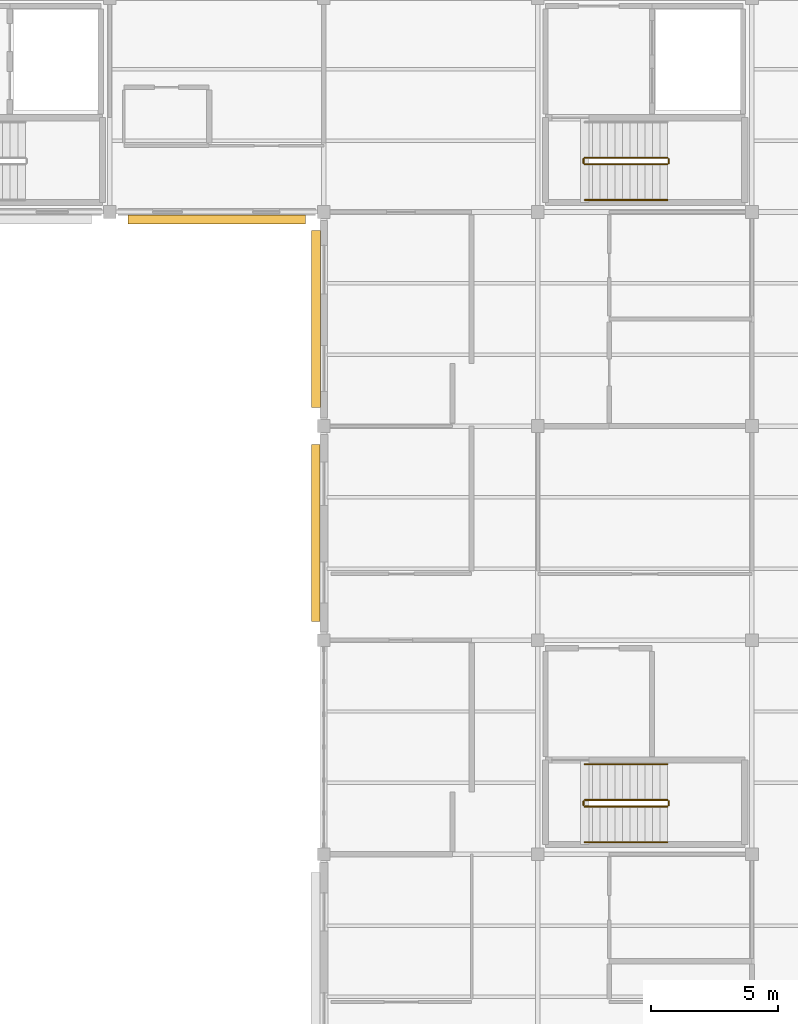
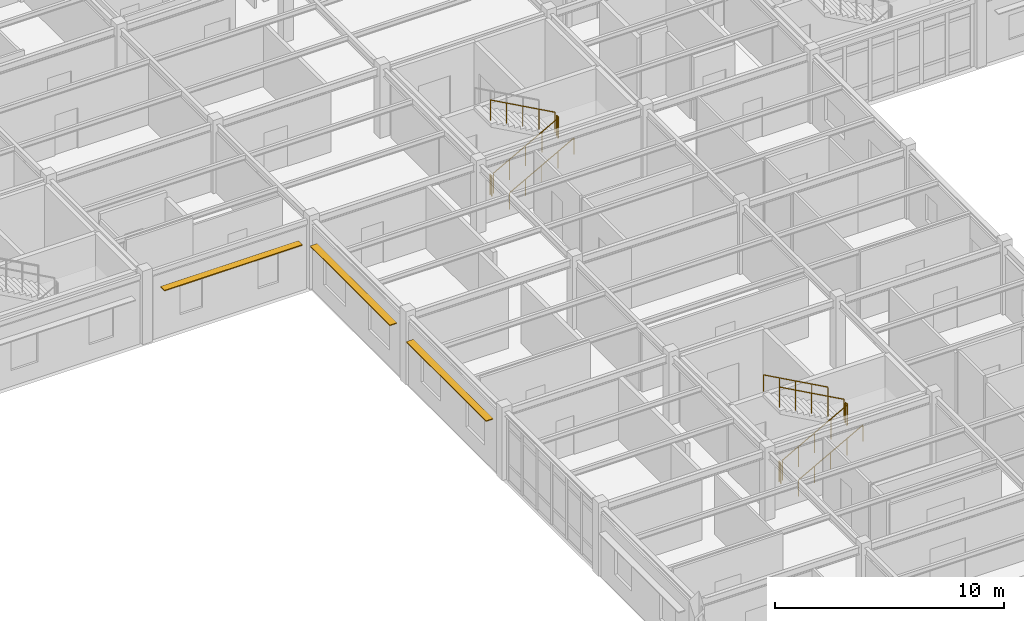
# One storey, part 50 of 53: 11 railings, 3 shading devices.
"""IFC4 building model written with IfcOpenShell, lengths in metres."""

from ifc_helpers import new_model, si_unit, direction, frame, origin, origin_2d, place, context, subcontext, project, spatial, rectangle, circle, extrude, material, material_profile, profile_set, type_object, element, save


model = new_model("IFC4")

# Units and contexts
model_context = context("Model", 3, precision=1e-05, world=origin(), true_north=direction((0.0, 1.0)))
body_context = subcontext(model_context, "Body", "Model", "MODEL_VIEW")
ifc_project = project(units=[si_unit("LENGTHUNIT", "METRE"), si_unit("AREAUNIT", "SQUARE_METRE"), si_unit("VOLUMEUNIT", "CUBIC_METRE"), si_unit("PLANEANGLEUNIT", "RADIAN"), si_unit("MASSUNIT", "GRAM", prefix="KILO")], contexts=[model_context])

# Site, building, storey
site_placement = place(None, origin())
site = spatial("IfcSite", under=ifc_project, at=site_placement, CompositionType="ELEMENT")
building_placement = place(site_placement, origin())
building = spatial("IfcBuilding", under=site, at=building_placement, Name="Bramfleet General Hospital", CompositionType="ELEMENT")
storey_placement = place(building_placement, frame((0.0, 0.0, 26.39990234375)))
storey = spatial("IfcBuildingStorey", under=building, at=storey_placement, Name="L06", CompositionType="ELEMENT", Elevation=26.39990234375)

# Railings
ifc_material_1 = material(Name="Powder-coated steel stair balustrade", Category="steel")
railing_type_1 = type_object("IfcRailingType", Name="RAIL-ST-GUARD", PredefinedType="GUARDRAIL", material=ifc_material_1)
railing_1_placement = place(storey_placement, frame((102.639892578125, 94.27001953125, 0.16259765625)))
element("IfcRailing", 1, at=railing_1_placement, inside=storey, type_object=railing_type_1, Name="L06 ST-C4 stair guard 1", PredefinedType="GUARDRAIL", context=body_context, shape_type="SweptSolid", body=[
    extrude(circle(Radius=0.02392578125, at=origin_2d()), frame((0.0, 0.0, 1.076171875), z_axis=(0.875898504189, 0.0, 0.482495399314), x_axis=(0.0, 1.0, 0.0)), (0.0, 0.0, 1.0), 3.704833984375),
    extrude(circle(Radius=0.02099609375, at=origin_2d()), origin(), (0.0, 0.0, 1.0), 1.052001953125),
    extrude(circle(Radius=0.02099609375, at=origin_2d()), frame((0.811279296875, 0.0, 0.44677734375)), (0.0, 0.0, 1.0), 1.052001953125),
    extrude(circle(Radius=0.02099609375, at=origin_2d()), frame((1.62255859375, 0.0, 0.893798828125)), (0.0, 0.0, 1.0), 1.052001953125),
    extrude(circle(Radius=0.02099609375, at=origin_2d()), frame((2.433837890625, 0.0, 1.3408203125)), (0.0, 0.0, 1.0), 1.052001953125),
    extrude(circle(Radius=0.02099609375, at=origin_2d()), frame((3.2451171875, 0.0, 1.78759765625)), (0.0, 0.0, 1.0), 1.052001953125),
])
railing_2_placement = place(storey_placement, frame((105.93505859375, 94.320068359375, 1.9501953125)))
element("IfcRailing", 2, at=railing_2_placement, inside=storey, type_object=railing_type_1, Name="L06 ST-C4 stair guard 2", PredefinedType="GUARDRAIL", context=body_context, shape_type="SweptSolid", body=[
    extrude(circle(Radius=0.02392578125, at=origin_2d()), frame((0.0, 0.0, 1.076171875), z_axis=(0.0, 1.0, 0.0), x_axis=(-1.0, 0.0, 0.0)), (0.0, 0.0, 1.0), 0.159912109375),
    extrude(circle(Radius=0.02099609375, at=origin_2d()), origin(), (0.0, 0.0, 1.0), 1.052001953125),
    extrude(circle(Radius=0.02099609375, at=origin_2d()), frame((0.0, 0.159912109375, 0.0)), (0.0, 0.0, 1.0), 1.052001953125),
])
railing_3_placement = place(storey_placement, frame((105.885009765625, 94.530029296875, 2.112548828125)))
element("IfcRailing", 3, at=railing_3_placement, inside=storey, type_object=railing_type_1, Name="L06 ST-C4 stair guard 3", PredefinedType="GUARDRAIL", context=body_context, shape_type="SweptSolid", body=[
    extrude(circle(Radius=0.02392578125, at=origin_2d()), frame((0.0, 0.0, 1.076171875), z_axis=(-0.875898504189, 0.0, 0.482495399314), x_axis=(0.0, -1.0, 0.0)), (0.0, 0.0, 1.0), 3.704833984375),
    extrude(circle(Radius=0.02099609375, at=origin_2d()), origin(), (0.0, 0.0, 1.0), 1.052001953125),
    extrude(circle(Radius=0.02099609375, at=origin_2d()), frame((-0.811279296875, 0.0, 0.44677734375)), (0.0, 0.0, 1.0), 1.052001953125),
    extrude(circle(Radius=0.02099609375, at=origin_2d()), frame((-1.62255859375, 0.0, 0.893798828125)), (0.0, 0.0, 1.0), 1.052001953125),
    extrude(circle(Radius=0.02099609375, at=origin_2d()), frame((-2.433837890625, 0.0, 1.3408203125)), (0.0, 0.0, 1.0), 1.052001953125),
    extrude(circle(Radius=0.02099609375, at=origin_2d()), frame((-3.2451171875, 0.0, 1.78759765625)), (0.0, 0.0, 1.0), 1.052001953125),
])
railing_4_placement = place(storey_placement, frame((102.590087890625, 94.320068359375, 0.0)))
element("IfcRailing", 4, at=railing_4_placement, inside=storey, type_object=railing_type_1, Name="L06 ST-C4 stair guard 4", PredefinedType="GUARDRAIL", context=body_context, shape_type="SweptSolid", body=[
    extrude(circle(Radius=0.02392578125, at=origin_2d()), frame((0.0, 0.0, 1.076171875), z_axis=(0.0, 1.0, 0.0), x_axis=(-1.0, 0.0, 0.0)), (0.0, 0.0, 1.0), 0.159912109375),
    extrude(circle(Radius=0.02099609375, at=origin_2d()), origin(), (0.0, 0.0, 1.0), 1.052001953125),
    extrude(circle(Radius=0.02099609375, at=origin_2d()), frame((0.0, 0.159912109375, 0.0)), (0.0, 0.0, 1.0), 1.052001953125),
])
railing_5_placement = place(storey_placement, frame((102.639892578125, 69.070068359375, 0.16259765625)))
element("IfcRailing", 5, at=railing_5_placement, inside=storey, type_object=railing_type_1, Name="L06 ST-C11 stair guard 1", PredefinedType="GUARDRAIL", context=body_context, shape_type="SweptSolid", body=[
    extrude(circle(Radius=0.02392578125, at=origin_2d()), frame((0.0, 0.0, 1.076171875), z_axis=(0.875898504189, 0.0, 0.482495399314), x_axis=(0.0, 1.0, 0.0)), (0.0, 0.0, 1.0), 3.704833984375),
    extrude(circle(Radius=0.02099609375, at=origin_2d()), origin(), (0.0, 0.0, 1.0), 1.052001953125),
    extrude(circle(Radius=0.02099609375, at=origin_2d()), frame((0.811279296875, 0.0, 0.44677734375)), (0.0, 0.0, 1.0), 1.052001953125),
    extrude(circle(Radius=0.02099609375, at=origin_2d()), frame((1.62255859375, 0.0, 0.893798828125)), (0.0, 0.0, 1.0), 1.052001953125),
    extrude(circle(Radius=0.02099609375, at=origin_2d()), frame((2.433837890625, 0.0, 1.3408203125)), (0.0, 0.0, 1.0), 1.052001953125),
    extrude(circle(Radius=0.02099609375, at=origin_2d()), frame((3.2451171875, 0.0, 1.78759765625)), (0.0, 0.0, 1.0), 1.052001953125),
])
railing_6_placement = place(storey_placement, frame((105.93505859375, 69.1201171875, 1.9501953125)))
element("IfcRailing", 6, at=railing_6_placement, inside=storey, type_object=railing_type_1, Name="L06 ST-C11 stair guard 2", PredefinedType="GUARDRAIL", context=body_context, shape_type="SweptSolid", body=[
    extrude(circle(Radius=0.02392578125, at=origin_2d()), frame((0.0, 0.0, 1.076171875), z_axis=(0.0, 1.0, 0.0), x_axis=(-1.0, 0.0, 0.0)), (0.0, 0.0, 1.0), 0.159912109375),
    extrude(circle(Radius=0.02099609375, at=origin_2d()), origin(), (0.0, 0.0, 1.0), 1.052001953125),
    extrude(circle(Radius=0.02099609375, at=origin_2d()), frame((0.0, 0.159912109375, 0.0)), (0.0, 0.0, 1.0), 1.052001953125),
])
railing_7_placement = place(storey_placement, frame((105.885009765625, 69.330078125, 2.112548828125)))
element("IfcRailing", 7, at=railing_7_placement, inside=storey, type_object=railing_type_1, Name="L06 ST-C11 stair guard 3", PredefinedType="GUARDRAIL", context=body_context, shape_type="SweptSolid", body=[
    extrude(circle(Radius=0.02392578125, at=origin_2d()), frame((0.0, 0.0, 1.076171875), z_axis=(-0.875898504189, 0.0, 0.482495399314), x_axis=(0.0, -1.0, 0.0)), (0.0, 0.0, 1.0), 3.704833984375),
    extrude(circle(Radius=0.02099609375, at=origin_2d()), origin(), (0.0, 0.0, 1.0), 1.052001953125),
    extrude(circle(Radius=0.02099609375, at=origin_2d()), frame((-0.811279296875, 0.0, 0.44677734375)), (0.0, 0.0, 1.0), 1.052001953125),
    extrude(circle(Radius=0.02099609375, at=origin_2d()), frame((-1.62255859375, 0.0, 0.893798828125)), (0.0, 0.0, 1.0), 1.052001953125),
    extrude(circle(Radius=0.02099609375, at=origin_2d()), frame((-2.433837890625, 0.0, 1.3408203125)), (0.0, 0.0, 1.0), 1.052001953125),
    extrude(circle(Radius=0.02099609375, at=origin_2d()), frame((-3.2451171875, 0.0, 1.78759765625)), (0.0, 0.0, 1.0), 1.052001953125),
])
railing_8_placement = place(storey_placement, frame((102.590087890625, 69.1201171875, 0.0)))
element("IfcRailing", 8, at=railing_8_placement, inside=storey, type_object=railing_type_1, Name="L06 ST-C11 stair guard 4", PredefinedType="GUARDRAIL", context=body_context, shape_type="SweptSolid", body=[
    extrude(circle(Radius=0.02392578125, at=origin_2d()), frame((0.0, 0.0, 1.076171875), z_axis=(0.0, 1.0, 0.0), x_axis=(-1.0, 0.0, 0.0)), (0.0, 0.0, 1.0), 0.159912109375),
    extrude(circle(Radius=0.02099609375, at=origin_2d()), origin(), (0.0, 0.0, 1.0), 1.052001953125),
    extrude(circle(Radius=0.02099609375, at=origin_2d()), frame((0.0, 0.159912109375, 0.0)), (0.0, 0.0, 1.0), 1.052001953125),
])
ifc_material_2 = material(Name="Stainless steel 1.4301 stair handrail", Category="steel")
railing_type_2 = type_object("IfcRailingType", Name="RAIL-ST-HND", PredefinedType="HANDRAIL", material=ifc_material_2)
for number, where, name in (
    (9, (102.639892578125, 92.8701171875, 0.16259765625), "L06 ST-C4 stair handrail 1"),
    (10, (102.639892578125, 67.669921875, 0.16259765625), "L06 ST-C11 stair handrail 1"),
):
    element("IfcRailing", number, at=place(storey_placement, frame(where)), inside=storey, type_object=railing_type_2, Name=name, PredefinedType="HANDRAIL", context=body_context, shape_type="SweptSolid", body=[
        extrude(circle(Radius=0.02392578125, at=origin_2d()), frame((0.0, 0.0, 0.8759765625), z_axis=(0.875898504189, 0.0, 0.482495399314), x_axis=(0.0, 1.0, 0.0)), (0.0, 0.0, 1.0), 3.704833984375),
        extrude(circle(Radius=0.02099609375, at=origin_2d()), origin(), (0.0, 0.0, 1.0), 0.851806640625),
        extrude(circle(Radius=0.02099609375, at=origin_2d()), frame((0.811279296875, 0.0, 0.44677734375)), (0.0, 0.0, 1.0), 0.851806640625),
        extrude(circle(Radius=0.02099609375, at=origin_2d()), frame((1.62255859375, 0.0, 0.893798828125)), (0.0, 0.0, 1.0), 0.851806640625),
        extrude(circle(Radius=0.02099609375, at=origin_2d()), frame((2.433837890625, 0.0, 1.3408203125)), (0.0, 0.0, 1.0), 0.851806640625),
        extrude(circle(Radius=0.02099609375, at=origin_2d()), frame((3.2451171875, 0.0, 1.78759765625)), (0.0, 0.0, 1.0), 0.851806640625),
    ])
railing_9_placement = place(storey_placement, frame((105.885009765625, 70.72998046875, 2.112548828125)))
element("IfcRailing", 11, at=railing_9_placement, inside=storey, type_object=railing_type_2, Name="L06 ST-C11 stair handrail 2", PredefinedType="HANDRAIL", context=body_context, shape_type="SweptSolid", body=[
    extrude(circle(Radius=0.02392578125, at=origin_2d()), frame((0.0, 0.0, 0.8759765625), z_axis=(-0.875898504189, 0.0, 0.482495399314), x_axis=(0.0, -1.0, 0.0)), (0.0, 0.0, 1.0), 3.704833984375),
    extrude(circle(Radius=0.02099609375, at=origin_2d()), origin(), (0.0, 0.0, 1.0), 0.851806640625),
    extrude(circle(Radius=0.02099609375, at=origin_2d()), frame((-0.811279296875, 0.0, 0.44677734375)), (0.0, 0.0, 1.0), 0.851806640625),
    extrude(circle(Radius=0.02099609375, at=origin_2d()), frame((-1.62255859375, 0.0, 0.893798828125)), (0.0, 0.0, 1.0), 0.851806640625),
    extrude(circle(Radius=0.02099609375, at=origin_2d()), frame((-2.433837890625, 0.0, 1.3408203125)), (0.0, 0.0, 1.0), 0.851806640625),
    extrude(circle(Radius=0.02099609375, at=origin_2d()), frame((-3.2451171875, 0.0, 1.78759765625)), (0.0, 0.0, 1.0), 0.851806640625),
])

# Shading devices
ifc_material_3 = material(Name="Anodised aluminium EN AW-6063", Category="aluminium")
ifc_material_profile = material_profile(ifc_material_3, rectangle(XDim=0.050048828125, YDim=0.35009765625, at=origin_2d()), Name="ALU LOUVRE 350x50")
ifc_profile_set = profile_set([ifc_material_profile], Name="Anodised aluminium EN AW-6063")
shading_device_type = type_object("IfcShadingDeviceType", Name="SHD-LVR-350", PredefinedType="USERDEFINED", material=ifc_profile_set)
for number, where, z_axis, x_axis, name in (
    (12, (92.08251953125, 76.324951171875, 2.670166015625), (0.0, 1.0, 0.0), (0.0, 0.0, 1.0), "L06 Solar Shading Louvre 79"),
    (13, (92.092529296875, 84.72509765625, 2.670166015625), (0.0, 1.0, 0.0), (0.0, 0.0, 1.0), "L06 Solar Shading Louvre 80"),
    (14, (91.675048828125, 92.10009765625, 2.670166015625), (-1.0, 0.0, 0.0), (0.0, 0.0, 1.0), "L06 Solar Shading Louvre 81"),
):
    element("IfcShadingDevice", number, at=place(storey_placement, frame(where, z_axis=z_axis, x_axis=x_axis)), inside=storey, type_object=shading_device_type, Name=name, ObjectType="Louvre", PredefinedType="USERDEFINED", context=body_context, shape_type="SweptSolid", body=[
        extrude(rectangle(XDim=0.050048828125, YDim=0.35009765625, at=origin_2d()), origin(), (0.0, 0.0, 1.0), 6.949951171875),
    ])

save(model, "model.ifc")
